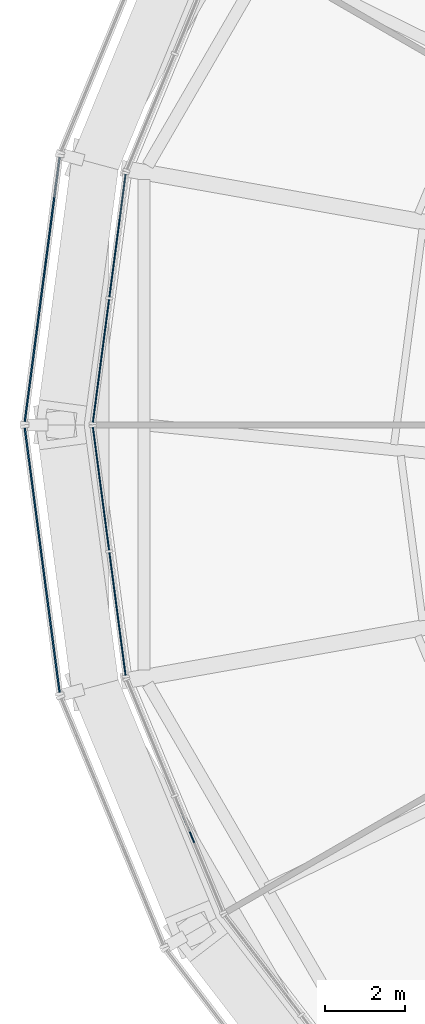
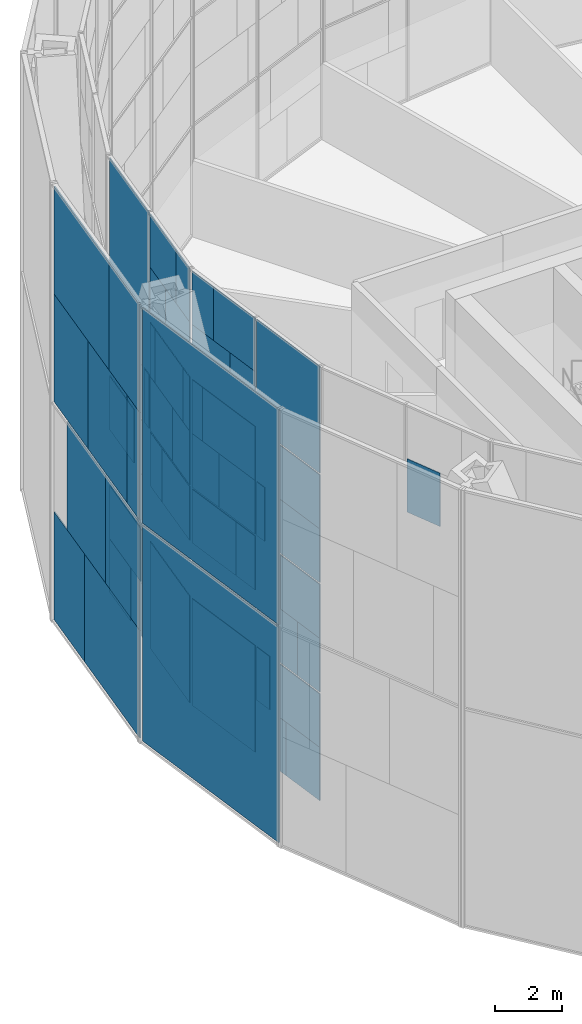
# One storey, part 16 of 30: 62 plates, 5 elements without a shape of their own.
"""IFC4 building model written with IfcOpenShell, lengths in metres."""

from ifc_helpers import new_model, si_unit, direction, frame, origin, origin_2d, place, context, subcontext, project, spatial, rectangle, extrude, material, layer, layer_set, type_object, element, aggregate, save


model = new_model("IFC4")

# Units and contexts
model_context = context("Model", 3, precision=1e-05, world=origin(), true_north=direction((0.0, 1.0)))
body_context = subcontext(model_context, "Body", "Model", "MODEL_VIEW")
ifc_project = project(units=[si_unit("LENGTHUNIT", "METRE"), si_unit("AREAUNIT", "SQUARE_METRE"), si_unit("VOLUMEUNIT", "CUBIC_METRE"), si_unit("PLANEANGLEUNIT", "RADIAN"), si_unit("MASSUNIT", "GRAM", prefix="KILO")], contexts=[model_context])

# Site, building, storey
site_placement = place(None, origin())
site = spatial("IfcSite", under=ifc_project, at=site_placement, CompositionType="ELEMENT")
building_placement = place(site_placement, origin())
building = spatial("IfcBuilding", under=site, at=building_placement, Name="Golbaran Civic Tower", CompositionType="ELEMENT")
storey_placement = place(building_placement, frame((0.0, 0.0, 102.0)))
storey = spatial("IfcBuildingStorey", under=building, at=storey_placement, Name="L24", CompositionType="ELEMENT", Elevation=102.0)

# Curtain wall, plates
ifc_material_1 = material(Name="Aluminium and glass", Category="aluminium")
curtain_wall_type_1 = type_object("IfcCurtainWallType", Name="INNER SKIN CURTAIN WALL", PredefinedType="NOTDEFINED", material=ifc_material_1)
curtain_wall_1_placement = place(storey_placement, origin())
curtain_wall_1 = element("IfcCurtainWall", 1, at=curtain_wall_1_placement, inside=storey, type_object=curtain_wall_type_1, Name="Inner skin L24 facet 12 CW1", ObjectType="INNER SKIN", PredefinedType="USERDEFINED")
ifc_material_2 = material(Name="Clear insulating glass", Category="glass")
ifc_layer_1 = layer(ifc_material_2, 0.031982421875, Name="Clear insulating glass")
ifc_layer_set_1 = layer_set([ifc_layer_1], Name="Clear insulating glass")
plate_type_1 = type_object("IfcPlateType", Name="INNER SKIN CURTAIN WALL GLAZED PANEL", PredefinedType="CURTAIN_PANEL", material=ifc_layer_set_1)
plate_1_placement = place(storey_placement, frame((-24.059814453125, 3.936767578125, 0.06494140625), z_axis=(0.0, 0.0, 1.0), x_axis=(-0.130526192134, -0.991444861385, 0.0)))
plate_1 = element("IfcPlate", 2, at=plate_1_placement, type_object=plate_type_1, Name="CW1 panel 1.1 part 2", PredefinedType="CURTAIN_PANEL", context=body_context, shape_type="SweptSolid", body=[
    extrude(rectangle(XDim=1.460693359375, YDim=0.031982421875, at=origin_2d()), origin(), (0.0, 0.0, 1.0), 1.951171875),
])
plate_2_placement = place(storey_placement, frame((-24.112548828125, 3.535888671875, 2.016357421875), z_axis=(0.0, 0.0, 1.0), x_axis=(-0.130526192134, -0.991444861385, 0.0)))
plate_2 = element("IfcPlate", 3, at=plate_2_placement, type_object=plate_type_1, Name="CW1 panel 1.1 part 4", PredefinedType="CURTAIN_PANEL", context=body_context, shape_type="SweptSolid", body=[
    extrude(rectangle(XDim=0.651611328125, YDim=0.031982421875, at=origin_2d()), origin(), (0.0, 0.0, 1.0), 1.951171875),
])
plate_3_placement = place(storey_placement, frame((-23.874267578125, 5.345458984375, 6.0), z_axis=(0.0, 0.0, 1.0), x_axis=(-0.130526192134, -0.991444861385, 0.0)))
plate_3 = element("IfcPlate", 4, at=plate_3_placement, type_object=plate_type_1, Name="CW1 panel 1.2 part 3", PredefinedType="CURTAIN_PANEL", context=body_context, shape_type="SweptSolid", body=[
    extrude(rectangle(XDim=1.9189453125, YDim=0.031982421875, at=origin_2d()), origin(), (0.0, 0.0, 1.0), 1.967529296875),
])
plate_4_placement = place(storey_placement, frame((-23.92578125, 4.953857421875, 8.03271484375), z_axis=(0.0, 0.0, 1.0), x_axis=(-0.130526192134, -0.991444861385, 0.0)))
plate_4 = element("IfcPlate", 5, at=plate_4_placement, type_object=plate_type_1, Name="CW1 panel 1.3 part 1", PredefinedType="CURTAIN_PANEL", context=body_context, shape_type="SweptSolid", body=[
    extrude(rectangle(XDim=2.708984375, YDim=0.031982421875, at=origin_2d()), origin(), (0.0, 0.0, 1.0), 1.967529296875),
])
plate_5_placement = place(storey_placement, frame((-23.951904296875, 4.7548828125, 10.0), z_axis=(0.0, 0.0, 1.0), x_axis=(-0.130526192134, -0.991444861385, 0.0)))
plate_5 = element("IfcPlate", 6, at=plate_5_placement, type_object=plate_type_1, Name="CW1 panel 1.3 part 3", PredefinedType="CURTAIN_PANEL", context=body_context, shape_type="SweptSolid", body=[
    extrude(rectangle(XDim=3.110595703125, YDim=0.031982421875, at=origin_2d()), origin(), (0.0, 0.0, 1.0), 1.967529296875),
])
plate_6_placement = place(storey_placement, frame((-23.951904296875, 4.7548828125, 12.0322265625), z_axis=(0.0, 0.0, 1.0), x_axis=(-0.130526192134, -0.991444861385, 0.0)))
plate_6 = element("IfcPlate", 7, at=plate_6_placement, type_object=plate_type_1, Name="CW1 panel 1.4", PredefinedType="CURTAIN_PANEL", context=body_context, shape_type="SweptSolid", body=[
    extrude(rectangle(XDim=3.110595703125, YDim=0.031982421875, at=origin_2d()), origin(), (0.0, 0.0, 1.0), 3.902587890625),
])
plate_7_placement = place(storey_placement, frame((-24.366455078125, 1.6064453125, 0.06494140625), z_axis=(0.0, 0.0, 1.0), x_axis=(-0.130526192134, -0.991444861385, 0.0)))
plate_7 = element("IfcPlate", 8, at=plate_7_placement, type_object=plate_type_1, Name="CW1 panel 2.1", PredefinedType="CURTAIN_PANEL", context=body_context, shape_type="SweptSolid", body=[
    extrude(rectangle(XDim=3.110595703125, YDim=0.031982421875, at=origin_2d()), origin(), (0.0, 0.0, 1.0), 3.902587890625),
])
plate_8_placement = place(storey_placement, frame((-24.392578125, 1.40771484375, 4.03271484375), z_axis=(0.0, 0.0, 1.0), x_axis=(-0.130526192134, -0.991444861385, 0.0)))
plate_8 = element("IfcPlate", 9, at=plate_8_placement, type_object=plate_type_1, Name="CW1 panel 2.2 part 2", PredefinedType="CURTAIN_PANEL", context=body_context, shape_type="SweptSolid", body=[
    extrude(rectangle(XDim=2.70947265625, YDim=0.031982421875, at=origin_2d()), origin(), (0.0, 0.0, 1.0), 1.967529296875),
])
plate_9_placement = place(storey_placement, frame((-24.427978515625, 1.140380859375, 6.0), z_axis=(0.0, 0.0, 1.0), x_axis=(-0.130526192134, -0.991444861385, 0.0)))
plate_9 = element("IfcPlate", 10, at=plate_9_placement, type_object=plate_type_1, Name="CW1 panel 2.2 part 4", PredefinedType="CURTAIN_PANEL", context=body_context, shape_type="SweptSolid", body=[
    extrude(rectangle(XDim=2.170654296875, YDim=0.031982421875, at=origin_2d()), origin(), (0.0, 0.0, 1.0), 1.967529296875),
])
plate_10_placement = place(storey_placement, frame((-24.48291015625, 0.72314453125, 8.03271484375), z_axis=(0.0, 0.0, 1.0), x_axis=(-0.130526192134, -0.991444861385, 0.0)))
plate_10 = element("IfcPlate", 11, at=plate_10_placement, type_object=plate_type_1, Name="CW1 panel 2.3 part 2", PredefinedType="CURTAIN_PANEL", context=body_context, shape_type="SweptSolid", body=[
    extrude(rectangle(XDim=1.32861328125, YDim=0.031982421875, at=origin_2d()), origin(), (0.0, 0.0, 1.0), 1.967529296875),
])
plate_11_placement = place(storey_placement, frame((-24.189697265625, 2.9501953125, 10.0), z_axis=(0.0, 0.0, 1.0), x_axis=(-0.130526192134, -0.991444861385, 0.0)))
plate_11 = element("IfcPlate", 12, at=plate_11_placement, type_object=plate_type_1, Name="CW1 panel 2.3 part 3", PredefinedType="CURTAIN_PANEL", context=body_context, shape_type="SweptSolid", body=[
    extrude(rectangle(XDim=0.39990234375, YDim=0.031982421875, at=origin_2d()), origin(), (0.0, 0.0, 1.0), 1.967529296875),
])
plate_12_placement = place(storey_placement, frame((-24.535888671875, 0.319091796875, 10.0), z_axis=(0.0, 0.0, 1.0), x_axis=(-0.130526192134, -0.991444861385, 0.0)))
plate_12 = element("IfcPlate", 13, at=plate_12_placement, type_object=plate_type_1, Name="CW1 panel 2.3 part 5", PredefinedType="CURTAIN_PANEL", context=body_context, shape_type="SweptSolid", body=[
    extrude(rectangle(XDim=0.513671875, YDim=0.031982421875, at=origin_2d()), origin(), (0.0, 0.0, 1.0), 1.967529296875),
])
plate_13_placement = place(storey_placement, frame((-24.24462890625, 2.53271484375, 12.032470703125), z_axis=(0.0, 0.0, 1.0), x_axis=(-0.130526192134, -0.991444861385, 0.0)))
plate_13 = element("IfcPlate", 14, at=plate_13_placement, type_object=plate_type_1, Name="CW1 panel 2.4 part 1", PredefinedType="CURTAIN_PANEL", context=body_context, shape_type="SweptSolid", body=[
    extrude(rectangle(XDim=1.241943359375, YDim=0.031982421875, at=origin_2d()), origin(), (0.0, 0.0, 1.0), 1.951171875),
])
plate_14_placement = place(storey_placement, frame((-24.29736328125, 2.132080078125, 13.98388671875), z_axis=(0.0, 0.0, 1.0), x_axis=(-0.130526192134, -0.991444861385, 0.0)))
plate_14 = element("IfcPlate", 15, at=plate_14_placement, type_object=plate_type_1, Name="CW1 panel 2.4 part 3", PredefinedType="CURTAIN_PANEL", context=body_context, shape_type="SweptSolid", body=[
    extrude(rectangle(XDim=2.050048828125, YDim=0.031982421875, at=origin_2d()), origin(), (0.0, 0.0, 1.0), 1.951171875),
])

curtain_wall_2_placement = place(storey_placement, origin())
curtain_wall_2 = element("IfcCurtainWall", 16, at=curtain_wall_2_placement, inside=storey, type_object=curtain_wall_type_1, Name="Inner skin L24 facet 13 CW1", ObjectType="INNER SKIN", PredefinedType="USERDEFINED")
plate_15_placement = place(storey_placement, frame((-24.366455078125, -1.6064453125, 0.06494140625), z_axis=(0.0, 0.0, 1.0), x_axis=(0.130526192134, -0.991444861385, 0.0)))
plate_15 = element("IfcPlate", 17, at=plate_15_placement, type_object=plate_type_1, Name="CW1 panel 1.1", PredefinedType="CURTAIN_PANEL", context=body_context, shape_type="SweptSolid", body=[
    extrude(rectangle(XDim=3.110595703125, YDim=0.031982421875, at=origin_2d()), origin(), (0.0, 0.0, 1.0), 3.902587890625),
])
plate_16_placement = place(storey_placement, frame((-24.392822265625, -1.407470703125, 4.03271484375), z_axis=(0.0, 0.0, 1.0), x_axis=(0.130526192134, -0.991444861385, 0.0)))
plate_16 = element("IfcPlate", 18, at=plate_16_placement, type_object=plate_type_1, Name="CW1 panel 1.2 part 1", PredefinedType="CURTAIN_PANEL", context=body_context, shape_type="SweptSolid", body=[
    extrude(rectangle(XDim=2.708984375, YDim=0.031982421875, at=origin_2d()), origin(), (0.0, 0.0, 1.0), 1.967529296875),
])
plate_17_placement = place(storey_placement, frame((-24.427734375, -1.140625, 6.0), z_axis=(0.0, 0.0, 1.0), x_axis=(0.130526192134, -0.991444861385, 0.0)))
plate_17 = element("IfcPlate", 19, at=plate_17_placement, type_object=plate_type_1, Name="CW1 panel 1.2 part 3", PredefinedType="CURTAIN_PANEL", context=body_context, shape_type="SweptSolid", body=[
    extrude(rectangle(XDim=2.1708984375, YDim=0.031982421875, at=origin_2d()), origin(), (0.0, 0.0, 1.0), 1.967529296875),
])
plate_18_placement = place(storey_placement, frame((-24.482666015625, -0.72314453125, 8.03271484375), z_axis=(0.0, 0.0, 1.0), x_axis=(0.130526192134, -0.991444861385, 0.0)))
plate_18 = element("IfcPlate", 20, at=plate_18_placement, type_object=plate_type_1, Name="CW1 panel 1.3 part 1", PredefinedType="CURTAIN_PANEL", context=body_context, shape_type="SweptSolid", body=[
    extrude(rectangle(XDim=1.3291015625, YDim=0.031982421875, at=origin_2d()), origin(), (0.0, 0.0, 1.0), 1.967529296875),
])
plate_19_placement = place(storey_placement, frame((-24.535888671875, -0.3193359375, 10.0), z_axis=(0.0, 0.0, 1.0), x_axis=(0.130526192134, -0.991444861385, 0.0)))
plate_19 = element("IfcPlate", 21, at=plate_19_placement, type_object=plate_type_1, Name="CW1 panel 1.3 part 3", PredefinedType="CURTAIN_PANEL", context=body_context, shape_type="SweptSolid", body=[
    extrude(rectangle(XDim=0.513916015625, YDim=0.031982421875, at=origin_2d()), origin(), (0.0, 0.0, 1.0), 1.967529296875),
])
plate_20_placement = place(storey_placement, frame((-24.24462890625, -2.532958984375, 12.032470703125), z_axis=(0.0, 0.0, 1.0), x_axis=(0.130526192134, -0.991444861385, 0.0)))
plate_20 = element("IfcPlate", 22, at=plate_20_placement, type_object=plate_type_1, Name="CW1 panel 1.4 part 2", PredefinedType="CURTAIN_PANEL", context=body_context, shape_type="SweptSolid", body=[
    extrude(rectangle(XDim=1.241455078125, YDim=0.031982421875, at=origin_2d()), origin(), (0.0, 0.0, 1.0), 1.951171875),
])
plate_21_placement = place(storey_placement, frame((-24.29736328125, -2.13232421875, 13.98388671875), z_axis=(0.0, 0.0, 1.0), x_axis=(0.130526192134, -0.991444861385, 0.0)))
plate_21 = element("IfcPlate", 23, at=plate_21_placement, type_object=plate_type_1, Name="CW1 panel 1.4 part 4", PredefinedType="CURTAIN_PANEL", context=body_context, shape_type="SweptSolid", body=[
    extrude(rectangle(XDim=2.049560546875, YDim=0.031982421875, at=origin_2d()), origin(), (0.0, 0.0, 1.0), 1.951171875),
])
plate_22_placement = place(storey_placement, frame((-24.059814453125, -3.9365234375, 0.06494140625), z_axis=(0.0, 0.0, 1.0), x_axis=(0.130526192134, -0.991444861385, 0.0)))
plate_22 = element("IfcPlate", 24, at=plate_22_placement, type_object=plate_type_1, Name="CW1 panel 2.1 part 1", PredefinedType="CURTAIN_PANEL", context=body_context, shape_type="SweptSolid", body=[
    extrude(rectangle(XDim=1.4599609375, YDim=0.031982421875, at=origin_2d()), origin(), (0.0, 0.0, 1.0), 1.951171875),
])
plate_23_placement = place(storey_placement, frame((-24.112548828125, -3.5361328125, 2.016357421875), z_axis=(0.0, 0.0, 1.0), x_axis=(0.130526192134, -0.991444861385, 0.0)))
plate_23 = element("IfcPlate", 25, at=plate_23_placement, type_object=plate_type_1, Name="CW1 panel 2.1 part 3", PredefinedType="CURTAIN_PANEL", context=body_context, shape_type="SweptSolid", body=[
    extrude(rectangle(XDim=0.652099609375, YDim=0.031982421875, at=origin_2d()), origin(), (0.0, 0.0, 1.0), 1.951171875),
])
plate_24_placement = place(storey_placement, frame((-23.821044921875, -5.749755859375, 4.03271484375), z_axis=(0.0, 0.0, 1.0), x_axis=(0.130526192134, -0.991444861385, 0.0)))
plate_24 = element("IfcPlate", 26, at=plate_24_placement, type_object=plate_type_1, Name="CW1 panel 2.2 part 2", PredefinedType="CURTAIN_PANEL", context=body_context, shape_type="SweptSolid", body=[
    extrude(rectangle(XDim=1.103515625, YDim=0.031982421875, at=origin_2d()), origin(), (0.0, 0.0, 1.0), 1.967529296875),
])
plate_25_placement = place(storey_placement, frame((-23.874267578125, -5.345703125, 6.0), z_axis=(0.0, 0.0, 1.0), x_axis=(0.130526192134, -0.991444861385, 0.0)))
plate_25 = element("IfcPlate", 27, at=plate_25_placement, type_object=plate_type_1, Name="CW1 panel 2.2 part 4", PredefinedType="CURTAIN_PANEL", context=body_context, shape_type="SweptSolid", body=[
    extrude(rectangle(XDim=1.91845703125, YDim=0.031982421875, at=origin_2d()), origin(), (0.0, 0.0, 1.0), 1.967529296875),
])
plate_26_placement = place(storey_placement, frame((-23.926025390625, -4.953125, 8.03271484375), z_axis=(0.0, 0.0, 1.0), x_axis=(0.130526192134, -0.991444861385, 0.0)))
plate_26 = element("IfcPlate", 28, at=plate_26_placement, type_object=plate_type_1, Name="CW1 panel 2.3 part 2", PredefinedType="CURTAIN_PANEL", context=body_context, shape_type="SweptSolid", body=[
    extrude(rectangle(XDim=2.710693359375, YDim=0.031982421875, at=origin_2d()), origin(), (0.0, 0.0, 1.0), 1.967529296875),
])
plate_27_placement = place(storey_placement, frame((-23.951904296875, -4.7548828125, 10.0), z_axis=(0.0, 0.0, 1.0), x_axis=(0.130526192134, -0.991444861385, 0.0)))
plate_27 = element("IfcPlate", 29, at=plate_27_placement, type_object=plate_type_1, Name="CW1 panel 2.3 part 3", PredefinedType="CURTAIN_PANEL", context=body_context, shape_type="SweptSolid", body=[
    extrude(rectangle(XDim=3.110595703125, YDim=0.031982421875, at=origin_2d()), origin(), (0.0, 0.0, 1.0), 1.967529296875),
])
plate_28_placement = place(storey_placement, frame((-23.951904296875, -4.7548828125, 12.0322265625), z_axis=(0.0, 0.0, 1.0), x_axis=(0.130526192134, -0.991444861385, 0.0)))
plate_28 = element("IfcPlate", 30, at=plate_28_placement, type_object=plate_type_1, Name="CW1 panel 2.4", PredefinedType="CURTAIN_PANEL", context=body_context, shape_type="SweptSolid", body=[
    extrude(rectangle(XDim=3.110595703125, YDim=0.031982421875, at=origin_2d()), origin(), (0.0, 0.0, 1.0), 3.902587890625),
])

# Curtain wall, plate
curtain_wall_3_placement = place(storey_placement, origin())
curtain_wall_3 = element("IfcCurtainWall", 31, at=curtain_wall_3_placement, inside=storey, type_object=curtain_wall_type_1, Name="Inner skin L24 facet 14 CW1", ObjectType="INNER SKIN", PredefinedType="USERDEFINED")
plate_29_placement = place(storey_placement, frame((-22.2626953125, -9.928955078125, 12.032470703125), z_axis=(0.0, 0.0, 1.0), x_axis=(0.382683432478, -0.923879532465, 0.0)))
plate_29 = element("IfcPlate", 32, at=plate_29_placement, type_object=plate_type_1, Name="CW1 panel 2.4 part 1", PredefinedType="CURTAIN_PANEL", context=body_context, shape_type="SweptSolid", body=[
    extrude(rectangle(XDim=1.241943359375, YDim=0.031982421875, at=origin_2d()), origin(), (0.0, 0.0, 1.0), 1.951171875),
])
aggregate(curtain_wall_3, [plate_29])

# Plate
ifc_material_3 = material(Name="Aluminium faced opaque infill panel", Category="aluminium")
ifc_layer_2 = layer(ifc_material_3, 0.031982421875, Name="Aluminium faced opaque infill panel")
ifc_layer_set_2 = layer_set([ifc_layer_2], Name="Aluminium faced opaque infill panel")
plate_type_2 = type_object("IfcPlateType", Name="INNER SKIN CURTAIN WALL OPAQUE INFILL PANEL", PredefinedType="CURTAIN_PANEL", material=ifc_layer_set_2)
plate_30_placement = place(storey_placement, frame((-23.856689453125, 5.478759765625, 0.06494140625), z_axis=(0.0, 0.0, 1.0), x_axis=(-0.130526192134, -0.991444861385, 0.0)))
plate_30 = element("IfcPlate", 33, at=plate_30_placement, type_object=plate_type_2, Name="CW1 infill panel 1.1 part 1", PredefinedType="CURTAIN_PANEL", context=body_context, shape_type="SweptSolid", body=[
    extrude(rectangle(XDim=1.64990234375, YDim=0.031982421875, at=origin_2d()), origin(), (0.0, 0.0, 1.0), 1.951171875),
])

plate_31_placement = place(storey_placement, frame((-23.909423828125, 5.077880859375, 2.016357421875), z_axis=(0.0, 0.0, 1.0), x_axis=(-0.130526192134, -0.991444861385, 0.0)))
plate_31 = element("IfcPlate", 34, at=plate_31_placement, type_object=plate_type_2, Name="CW1 infill panel 1.1 part 3", PredefinedType="CURTAIN_PANEL", context=body_context, shape_type="SweptSolid", body=[
    extrude(rectangle(XDim=2.458984375, YDim=0.031982421875, at=origin_2d()), origin(), (0.0, 0.0, 1.0), 1.951171875),
])

plate_32_placement = place(storey_placement, frame((-24.024169921875, 4.20751953125, 4.03271484375), z_axis=(0.0, 0.0, 1.0), x_axis=(-0.130526192134, -0.991444861385, 0.0)))
plate_32 = element("IfcPlate", 35, at=plate_32_placement, type_object=plate_type_2, Name="CW1 infill panel 1.2 part 2", PredefinedType="CURTAIN_PANEL", context=body_context, shape_type="SweptSolid", body=[
    extrude(rectangle(XDim=2.006591796875, YDim=0.031982421875, at=origin_2d()), origin(), (0.0, 0.0, 1.0), 1.967529296875),
])

plate_33_placement = place(storey_placement, frame((-24.0771484375, 3.803466796875, 6.0), z_axis=(0.0, 0.0, 1.0), x_axis=(-0.130526192134, -0.991444861385, 0.0)))
plate_33 = element("IfcPlate", 36, at=plate_33_placement, type_object=plate_type_2, Name="CW1 infill panel 1.2 part 4", PredefinedType="CURTAIN_PANEL", context=body_context, shape_type="SweptSolid", body=[
    extrude(rectangle(XDim=1.191650390625, YDim=0.031982421875, at=origin_2d()), origin(), (0.0, 0.0, 1.0), 1.967529296875),
])

plate_34_placement = place(storey_placement, frame((-24.12890625, 3.411865234375, 8.03271484375), z_axis=(0.0, 0.0, 1.0), x_axis=(-0.130526192134, -0.991444861385, 0.0)))
plate_34 = element("IfcPlate", 37, at=plate_34_placement, type_object=plate_type_2, Name="CW1 infill panel 1.3 part 2", PredefinedType="CURTAIN_PANEL", context=body_context, shape_type="SweptSolid", body=[
    extrude(rectangle(XDim=0.401611328125, YDim=0.031982421875, at=origin_2d()), origin(), (0.0, 0.0, 1.0), 1.967529296875),
])

plate_35_placement = place(storey_placement, frame((-24.189697265625, 2.94970703125, 4.03271484375), z_axis=(0.0, 0.0, 1.0), x_axis=(-0.130526192134, -0.991444861385, 0.0)))
plate_35 = element("IfcPlate", 38, at=plate_35_placement, type_object=plate_type_2, Name="CW1 infill panel 2.2 part 1", PredefinedType="CURTAIN_PANEL", context=body_context, shape_type="SweptSolid", body=[
    extrude(rectangle(XDim=0.40087890625, YDim=0.031982421875, at=origin_2d()), origin(), (0.0, 0.0, 1.0), 1.967529296875),
])

plate_36_placement = place(storey_placement, frame((-24.224853515625, 2.682373046875, 6.0), z_axis=(0.0, 0.0, 1.0), x_axis=(-0.130526192134, -0.991444861385, 0.0)))
plate_36 = element("IfcPlate", 39, at=plate_36_placement, type_object=plate_type_2, Name="CW1 infill panel 2.2 part 3", PredefinedType="CURTAIN_PANEL", context=body_context, shape_type="SweptSolid", body=[
    extrude(rectangle(XDim=0.93994140625, YDim=0.031982421875, at=origin_2d()), origin(), (0.0, 0.0, 1.0), 1.967529296875),
])

plate_37_placement = place(storey_placement, frame((-24.27978515625, 2.26513671875, 8.03271484375), z_axis=(0.0, 0.0, 1.0), x_axis=(-0.130526192134, -0.991444861385, 0.0)))
plate_37 = element("IfcPlate", 40, at=plate_37_placement, type_object=plate_type_2, Name="CW1 infill panel 2.3 part 1", PredefinedType="CURTAIN_PANEL", context=body_context, shape_type="SweptSolid", body=[
    extrude(rectangle(XDim=1.781982421875, YDim=0.031982421875, at=origin_2d()), origin(), (0.0, 0.0, 1.0), 1.967529296875),
])

plate_38_placement = place(storey_placement, frame((-24.359130859375, 1.662841796875, 10.0), z_axis=(0.0, 0.0, 1.0), x_axis=(-0.130526192134, -0.991444861385, 0.0)))
plate_38 = element("IfcPlate", 41, at=plate_38_placement, type_object=plate_type_2, Name="CW1 infill panel 2.3 part 4", PredefinedType="CURTAIN_PANEL", context=body_context, shape_type="SweptSolid", body=[
    extrude(rectangle(XDim=2.197021484375, YDim=0.031982421875, at=origin_2d()), origin(), (0.0, 0.0, 1.0), 1.967529296875),
])

plate_39_placement = place(storey_placement, frame((-24.447509765625, 0.99072265625, 12.032470703125), z_axis=(0.0, 0.0, 1.0), x_axis=(-0.130526192134, -0.991444861385, 0.0)))
plate_39 = element("IfcPlate", 42, at=plate_39_placement, type_object=plate_type_2, Name="CW1 infill panel 2.4 part 2", PredefinedType="CURTAIN_PANEL", context=body_context, shape_type="SweptSolid", body=[
    extrude(rectangle(XDim=1.86865234375, YDim=0.031982421875, at=origin_2d()), origin(), (0.0, 0.0, 1.0), 1.951171875),
])

plate_40_placement = place(storey_placement, frame((-24.500244140625, 0.590087890625, 13.98388671875), z_axis=(0.0, 0.0, 1.0), x_axis=(-0.130526192134, -0.991444861385, 0.0)))
plate_40 = element("IfcPlate", 43, at=plate_40_placement, type_object=plate_type_2, Name="CW1 infill panel 2.4 part 4", PredefinedType="CURTAIN_PANEL", context=body_context, shape_type="SweptSolid", body=[
    extrude(rectangle(XDim=1.060546875, YDim=0.031982421875, at=origin_2d()), origin(), (0.0, 0.0, 1.0), 1.951171875),
])

aggregate(curtain_wall_1, [plate_30, plate_1, plate_31, plate_2, plate_32, plate_3, plate_33, plate_4, plate_34, plate_5, plate_6, plate_7, plate_35, plate_8, plate_36, plate_9, plate_37, plate_10, plate_11, plate_38, plate_12, plate_13, plate_39, plate_14, plate_40])

plate_41_placement = place(storey_placement, frame((-24.189697265625, -2.94921875, 4.03271484375), z_axis=(0.0, 0.0, 1.0), x_axis=(0.130526192134, -0.991444861385, 0.0)))
plate_41 = element("IfcPlate", 44, at=plate_41_placement, type_object=plate_type_2, Name="CW1 infill panel 1.2 part 2", PredefinedType="CURTAIN_PANEL", context=body_context, shape_type="SweptSolid", body=[
    extrude(rectangle(XDim=0.401611328125, YDim=0.031982421875, at=origin_2d()), origin(), (0.0, 0.0, 1.0), 1.967529296875),
])

plate_42_placement = place(storey_placement, frame((-24.224853515625, -2.6826171875, 6.0), z_axis=(0.0, 0.0, 1.0), x_axis=(0.130526192134, -0.991444861385, 0.0)))
plate_42 = element("IfcPlate", 45, at=plate_42_placement, type_object=plate_type_2, Name="CW1 infill panel 1.2 part 4", PredefinedType="CURTAIN_PANEL", context=body_context, shape_type="SweptSolid", body=[
    extrude(rectangle(XDim=0.939453125, YDim=0.031982421875, at=origin_2d()), origin(), (0.0, 0.0, 1.0), 1.967529296875),
])

plate_43_placement = place(storey_placement, frame((-24.27978515625, -2.26513671875, 8.03271484375), z_axis=(0.0, 0.0, 1.0), x_axis=(0.130526192134, -0.991444861385, 0.0)))
plate_43 = element("IfcPlate", 46, at=plate_43_placement, type_object=plate_type_2, Name="CW1 infill panel 1.3 part 2", PredefinedType="CURTAIN_PANEL", context=body_context, shape_type="SweptSolid", body=[
    extrude(rectangle(XDim=1.781494140625, YDim=0.031982421875, at=origin_2d()), origin(), (0.0, 0.0, 1.0), 1.967529296875),
])

plate_44_placement = place(storey_placement, frame((-24.3330078125, -1.861328125, 10.0), z_axis=(0.0, 0.0, 1.0), x_axis=(0.130526192134, -0.991444861385, 0.0)))
plate_44 = element("IfcPlate", 47, at=plate_44_placement, type_object=plate_type_2, Name="CW1 infill panel 1.3 part 4", PredefinedType="CURTAIN_PANEL", context=body_context, shape_type="SweptSolid", body=[
    extrude(rectangle(XDim=2.5966796875, YDim=0.031982421875, at=origin_2d()), origin(), (0.0, 0.0, 1.0), 1.967529296875),
])

plate_45_placement = place(storey_placement, frame((-24.447509765625, -0.990966796875, 12.032470703125), z_axis=(0.0, 0.0, 1.0), x_axis=(0.130526192134, -0.991444861385, 0.0)))
plate_45 = element("IfcPlate", 48, at=plate_45_placement, type_object=plate_type_2, Name="CW1 infill panel 1.4 part 1", PredefinedType="CURTAIN_PANEL", context=body_context, shape_type="SweptSolid", body=[
    extrude(rectangle(XDim=1.868896484375, YDim=0.031982421875, at=origin_2d()), origin(), (0.0, 0.0, 1.0), 1.951171875),
])

plate_46_placement = place(storey_placement, frame((-24.500244140625, -0.59033203125, 13.98388671875), z_axis=(0.0, 0.0, 1.0), x_axis=(0.130526192134, -0.991444861385, 0.0)))
plate_46 = element("IfcPlate", 49, at=plate_46_placement, type_object=plate_type_2, Name="CW1 infill panel 1.4 part 3", PredefinedType="CURTAIN_PANEL", context=body_context, shape_type="SweptSolid", body=[
    extrude(rectangle(XDim=1.06103515625, YDim=0.031982421875, at=origin_2d()), origin(), (0.0, 0.0, 1.0), 1.951171875),
])

plate_47_placement = place(storey_placement, frame((-23.856689453125, -5.478515625, 0.06494140625), z_axis=(0.0, 0.0, 1.0), x_axis=(0.130526192134, -0.991444861385, 0.0)))
plate_47 = element("IfcPlate", 50, at=plate_47_placement, type_object=plate_type_2, Name="CW1 infill panel 2.1 part 2", PredefinedType="CURTAIN_PANEL", context=body_context, shape_type="SweptSolid", body=[
    extrude(rectangle(XDim=1.650634765625, YDim=0.031982421875, at=origin_2d()), origin(), (0.0, 0.0, 1.0), 1.951171875),
])

plate_48_placement = place(storey_placement, frame((-23.909423828125, -5.078125, 2.016357421875), z_axis=(0.0, 0.0, 1.0), x_axis=(0.130526192134, -0.991444861385, 0.0)))
plate_48 = element("IfcPlate", 51, at=plate_48_placement, type_object=plate_type_2, Name="CW1 infill panel 2.1 part 4", PredefinedType="CURTAIN_PANEL", context=body_context, shape_type="SweptSolid", body=[
    extrude(rectangle(XDim=2.45849609375, YDim=0.031982421875, at=origin_2d()), origin(), (0.0, 0.0, 1.0), 1.951171875),
])

plate_49_placement = place(storey_placement, frame((-24.02392578125, -4.207763671875, 4.03271484375), z_axis=(0.0, 0.0, 1.0), x_axis=(0.130526192134, -0.991444861385, 0.0)))
plate_49 = element("IfcPlate", 52, at=plate_49_placement, type_object=plate_type_2, Name="CW1 infill panel 2.2 part 1", PredefinedType="CURTAIN_PANEL", context=body_context, shape_type="SweptSolid", body=[
    extrude(rectangle(XDim=2.007080078125, YDim=0.031982421875, at=origin_2d()), origin(), (0.0, 0.0, 1.0), 1.967529296875),
])

plate_50_placement = place(storey_placement, frame((-24.0771484375, -3.8037109375, 6.0), z_axis=(0.0, 0.0, 1.0), x_axis=(0.130526192134, -0.991444861385, 0.0)))
plate_50 = element("IfcPlate", 53, at=plate_50_placement, type_object=plate_type_2, Name="CW1 infill panel 2.2 part 3", PredefinedType="CURTAIN_PANEL", context=body_context, shape_type="SweptSolid", body=[
    extrude(rectangle(XDim=1.19189453125, YDim=0.031982421875, at=origin_2d()), origin(), (0.0, 0.0, 1.0), 1.967529296875),
])

plate_51_placement = place(storey_placement, frame((-24.12890625, -3.4111328125, 8.03271484375), z_axis=(0.0, 0.0, 1.0), x_axis=(0.130526192134, -0.991444861385, 0.0)))
plate_51 = element("IfcPlate", 54, at=plate_51_placement, type_object=plate_type_2, Name="CW1 infill panel 2.3 part 1", PredefinedType="CURTAIN_PANEL", context=body_context, shape_type="SweptSolid", body=[
    extrude(rectangle(XDim=0.39990234375, YDim=0.031982421875, at=origin_2d()), origin(), (0.0, 0.0, 1.0), 1.967529296875),
])

aggregate(curtain_wall_2, [plate_15, plate_16, plate_41, plate_17, plate_42, plate_18, plate_43, plate_19, plate_44, plate_45, plate_20, plate_46, plate_21, plate_22, plate_47, plate_23, plate_48, plate_49, plate_24, plate_50, plate_25, plate_51, plate_26, plate_27, plate_28])

# Curtain wall, plates
curtain_wall_type_2 = type_object("IfcCurtainWallType", Name="OUTER SKIN TERRACOTTA SCREEN", PredefinedType="NOTDEFINED", material=ifc_material_1)
curtain_wall_4_placement = place(storey_placement, origin())
curtain_wall_4 = element("IfcCurtainWall", 55, at=curtain_wall_4_placement, inside=storey, type_object=curtain_wall_type_2, Name="Outer skin L24 facet 12 CW3", ObjectType="OUTER SKIN", PredefinedType="USERDEFINED")
ifc_material_4 = material(Name="Clear laminated glass", Category="glass")
ifc_layer_3 = layer(ifc_material_4, 0.0400390625, Name="Clear laminated glass")
ifc_layer_set_3 = layer_set([ifc_layer_3], Name="Clear laminated glass")
plate_type_3 = type_object("IfcPlateType", Name="OUTER SKIN CLEAR GLASS PANEL", PredefinedType="CURTAIN_PANEL", material=ifc_layer_set_3)
plate_52_placement = place(storey_placement, frame((-26.00146484375, 2.21533203125, -0.6298828125), z_axis=(0.0, 0.0, 1.0), x_axis=(-0.130526192168, -0.991444861381, 0.0)))
plate_52 = element("IfcPlate", 56, at=plate_52_placement, type_object=plate_type_3, Name="CW3 panel 1.1 part 2", PredefinedType="CURTAIN_PANEL", context=body_context, shape_type="SweptSolid", body=[
    extrude(rectangle(XDim=4.308837890625, YDim=0.0400390625, at=origin_2d()), origin(), (0.0, 0.0, 1.0), 3.93994140625),
])
plate_53_placement = place(storey_placement, frame((-26.10791015625, 1.40625, 3.31005859375), z_axis=(0.0, 0.0, 1.0), x_axis=(-0.130526192168, -0.991444861381, 0.0)))
plate_53 = element("IfcPlate", 57, at=plate_53_placement, type_object=plate_type_3, Name="CW3 panel 1.1 part 5", PredefinedType="CURTAIN_PANEL", context=body_context, shape_type="SweptSolid", body=[
    extrude(rectangle(XDim=2.6767578125, YDim=0.0400390625, at=origin_2d()), origin(), (0.0, 0.0, 1.0), 3.93994140625),
])
plate_54_placement = place(storey_placement, frame((-25.582275390625, 5.398193359375, 7.330078125), z_axis=(0.0, 0.0, 1.0), x_axis=(-0.130526192168, -0.991444861381, 0.0)))
plate_54 = element("IfcPlate", 58, at=plate_54_placement, type_object=plate_type_3, Name="CW3 panel 1.2 part 1", PredefinedType="CURTAIN_PANEL", context=body_context, shape_type="SweptSolid", body=[
    extrude(rectangle(XDim=2.677978515625, YDim=0.0400390625, at=origin_2d()), origin(), (0.0, 0.0, 1.0), 3.93994140625),
])
plate_55_placement = place(storey_placement, frame((-26.216552734375, 0.580810546875, 7.330078125), z_axis=(0.0, 0.0, 1.0), x_axis=(-0.130526192168, -0.991444861381, 0.0)))
plate_55 = element("IfcPlate", 59, at=plate_55_placement, type_object=plate_type_3, Name="CW3 panel 1.2 part 3", PredefinedType="CURTAIN_PANEL", context=body_context, shape_type="SweptSolid", body=[
    extrude(rectangle(XDim=1.011962890625, YDim=0.0400390625, at=origin_2d()), origin(), (0.0, 0.0, 1.0), 3.93994140625),
])
plate_56_placement = place(storey_placement, frame((-25.688720703125, 4.58935546875, 11.27001953125), z_axis=(0.0, 0.0, 1.0), x_axis=(-0.130526192168, -0.991444861381, 0.0)))
plate_56 = element("IfcPlate", 60, at=plate_56_placement, type_object=plate_type_3, Name="CW3 panel 1.2 part 4", PredefinedType="CURTAIN_PANEL", context=body_context, shape_type="SweptSolid", body=[
    extrude(rectangle(XDim=4.31005859375, YDim=0.0400390625, at=origin_2d()), origin(), (0.0, 0.0, 1.0), 3.93994140625),
])
ifc_material_5 = material(Name="Terracotta baguette screen", Category="masonry")
ifc_layer_4 = layer(ifc_material_5, 0.0400390625, Name="Terracotta baguette screen")
ifc_layer_set_4 = layer_set([ifc_layer_4], Name="Terracotta baguette screen")
plate_type_4 = type_object("IfcPlateType", Name="OUTER SKIN TERRACOTTA INFILL PANEL", PredefinedType="CURTAIN_PANEL", material=ifc_layer_set_4)
plate_57_placement = place(storey_placement, frame((-25.563720703125, 5.53857421875, -0.6298828125), z_axis=(0.0, 0.0, 1.0), x_axis=(-0.130526192168, -0.991444861381, 0.0)))
plate_57 = element("IfcPlate", 61, at=plate_57_placement, type_object=plate_type_4, Name="CW3 infill panel 1.1 part 1", PredefinedType="CURTAIN_PANEL", context=body_context, shape_type="SweptSolid", body=[
    extrude(rectangle(XDim=2.39501953125, YDim=0.0400390625, at=origin_2d()), origin(), (0.0, 0.0, 1.0), 3.93994140625),
])
plate_58_placement = place(storey_placement, frame((-25.736572265625, 4.227294921875, 3.31005859375), z_axis=(0.0, 0.0, 1.0), x_axis=(-0.130526192168, -0.991444861381, 0.0)))
plate_58 = element("IfcPlate", 62, at=plate_58_placement, type_object=plate_type_4, Name="CW3 infill panel 1.1 part 4", PredefinedType="CURTAIN_PANEL", context=body_context, shape_type="SweptSolid", body=[
    extrude(rectangle(XDim=3.013916015625, YDim=0.0400390625, at=origin_2d()), origin(), (0.0, 0.0, 1.0), 3.93994140625),
])
plate_59_placement = place(storey_placement, frame((-25.953857421875, 2.57666015625, 7.330078125), z_axis=(0.0, 0.0, 1.0), x_axis=(-0.130526192168, -0.991444861381, 0.0)))
plate_59 = element("IfcPlate", 63, at=plate_59_placement, type_object=plate_type_4, Name="CW3 infill panel 1.2 part 2", PredefinedType="CURTAIN_PANEL", context=body_context, shape_type="SweptSolid", body=[
    extrude(rectangle(XDim=3.013916015625, YDim=0.0400390625, at=origin_2d()), origin(), (0.0, 0.0, 1.0), 3.93994140625),
])
plate_60_placement = place(storey_placement, frame((-26.126220703125, 1.26611328125, 11.27001953125), z_axis=(0.0, 0.0, 1.0), x_axis=(-0.130526192168, -0.991444861381, 0.0)))
plate_60 = element("IfcPlate", 64, at=plate_60_placement, type_object=plate_type_4, Name="CW3 infill panel 1.2 part 5", PredefinedType="CURTAIN_PANEL", context=body_context, shape_type="SweptSolid", body=[
    extrude(rectangle(XDim=2.393798828125, YDim=0.0400390625, at=origin_2d()), origin(), (0.0, 0.0, 1.0), 3.93994140625),
])
aggregate(curtain_wall_4, [plate_57, plate_52, plate_58, plate_53, plate_54, plate_59, plate_55, plate_56, plate_60])

curtain_wall_5_placement = place(storey_placement, origin())
curtain_wall_5 = element("IfcCurtainWall", 65, at=curtain_wall_5_placement, inside=storey, type_object=curtain_wall_type_2, Name="Outer skin L24 facet 13 CW3", ObjectType="OUTER SKIN", PredefinedType="USERDEFINED")
ifc_layer_5 = layer(ifc_material_5, 0.0400390625, Name="Terracotta baguette screen")
ifc_layer_set_5 = layer_set([ifc_layer_5], Name="Terracotta baguette screen")
plate_type_5 = type_object("IfcPlateType", Name="OUTER SKIN TERRACOTTA SCREEN PANEL", PredefinedType="CURTAIN_PANEL", material=ifc_layer_set_5)
plate_61_placement = place(storey_placement, frame((-25.844970703125, -3.402587890625, -0.6298828125), z_axis=(0.0, 0.0, 1.0), x_axis=(0.130526192168, -0.991444861381, 0.0)))
plate_61 = element("IfcPlate", 66, at=plate_61_placement, type_object=plate_type_5, Name="CW3 terracotta screen panel 1.1", PredefinedType="CURTAIN_PANEL", context=body_context, shape_type="SweptSolid", body=[
    extrude(rectangle(XDim=6.703857421875, YDim=0.0400390625, at=origin_2d()), origin(), (0.0, 0.0, 1.0), 7.8798828125),
])
plate_62_placement = place(storey_placement, frame((-25.844970703125, -3.402587890625, 7.330078125), z_axis=(0.0, 0.0, 1.0), x_axis=(0.130526192168, -0.991444861381, 0.0)))
plate_62 = element("IfcPlate", 67, at=plate_62_placement, type_object=plate_type_5, Name="CW3 terracotta screen panel 1.2", PredefinedType="CURTAIN_PANEL", context=body_context, shape_type="SweptSolid", body=[
    extrude(rectangle(XDim=6.703857421875, YDim=0.0400390625, at=origin_2d()), origin(), (0.0, 0.0, 1.0), 7.8798828125),
])
aggregate(curtain_wall_5, [plate_61, plate_62])

save(model, "model.ifc")
